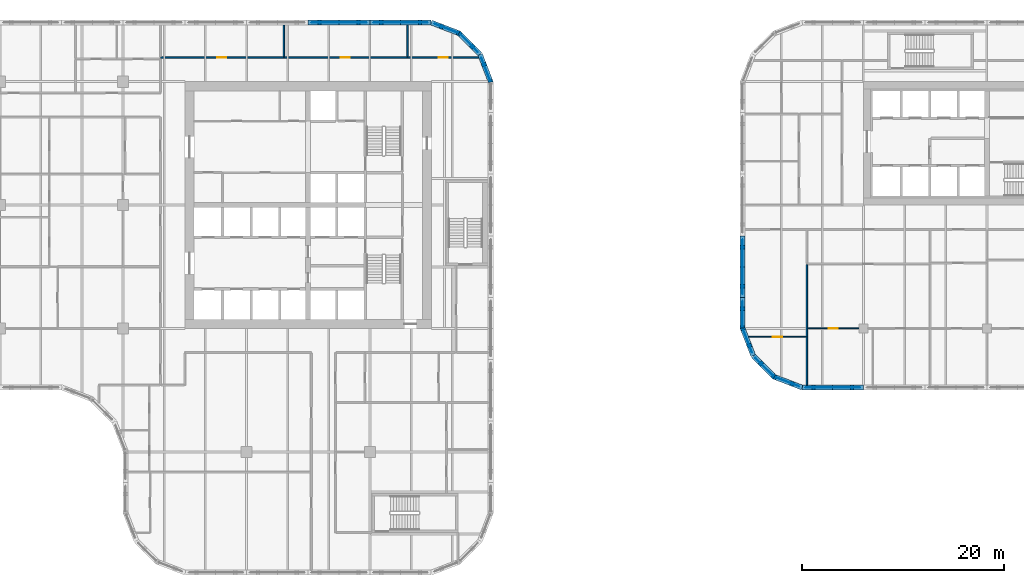
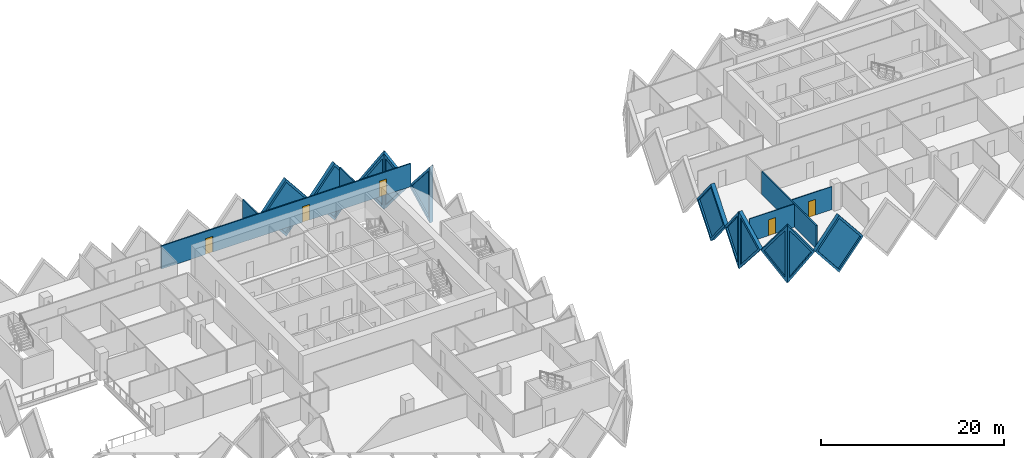
# One storey, part 11 of 19: 17 walls, 11 plates, 5 doors, 16 openings.
"""IFC4 building model written with IfcOpenShell, lengths in metres."""

from ifc_helpers import new_model, si_unit, direction, frame, frame_2d, origin, place, context, subcontext, project, spatial, polyline, rectangle, outline, extrude, faceted_brep, source, transform, mapped, material, layer, layer_set, type_object, element, fill, save


model = new_model("IFC4")

# Units and contexts
model_context = context("Model", 3, precision=1e-05, world=origin(), true_north=direction((0.0, 1.0)))
body_context = subcontext(model_context, "Body", "Model", "MODEL_VIEW")
ifc_project = project(units=[si_unit("LENGTHUNIT", "METRE"), si_unit("AREAUNIT", "SQUARE_METRE"), si_unit("VOLUMEUNIT", "CUBIC_METRE"), si_unit("PLANEANGLEUNIT", "RADIAN"), si_unit("MASSUNIT", "GRAM", prefix="KILO")], contexts=[model_context])

# Site, building, storey
site_placement = place(None, origin())
site = spatial("IfcSite", under=ifc_project, at=site_placement, CompositionType="ELEMENT")
building_placement = place(site_placement, origin())
building = spatial("IfcBuilding", under=site, at=building_placement, Name="Tessera Gate Towers", CompositionType="ELEMENT")
storey_placement = place(building_placement, frame((0.0, 0.0, 29.60009765625)))
storey = spatial("IfcBuildingStorey", under=building, at=storey_placement, Name="L06", CompositionType="ELEMENT", Elevation=29.60009765625)

# Wall, openings, doors
ifc_material_1 = material(Name="Gypsum board on steel studs, mineral wool", Category="steel")
ifc_layer_1 = layer(ifc_material_1, 0.14990234375)
ifc_layer_set_1 = layer_set([ifc_layer_1], Name="CORRIDOR WALL 150")
wall_type_1 = type_object("IfcWallType", Name="CORRIDOR WALL 150", PredefinedType="PARTITIONING", material=ifc_layer_set_1)
wall_1_placement = place(storey_placement, frame((28.10009765625, 51.199951171875, 0.0), z_axis=(0.0, 0.0, 1.0), x_axis=(1.0, 0.0, 0.0)))
wall_1 = element("IfcWall", 1, at=wall_1_placement, inside=storey, type_object=wall_type_1, Name="T1-L06-PW-054", PredefinedType="PARTITIONING", context=body_context, shape_type="SweptSolid", body=[
    extrude(rectangle(XDim=31.438232421875, YDim=0.14990234375, at=frame_2d((15.71923828125, 0.0))), origin(), (0.0, 0.0, 1.0), 3.06689453125),
])
shared_shape_1 = source(origin(), body_context, "Body", "SweptSolid", [
    extrude(rectangle(XDim=0.89990234375, YDim=2.10009765625, at=frame_2d((0.449951171875, 1.050048828125))), frame((0.0, 0.0849609375, 0.0), z_axis=(0.0, -1.0, 0.0), x_axis=(1.0, 0.0, 0.0)), (0.0, 0.0, 1.0), 0.169921875),
])
opening_1_placement = place(wall_1_placement, frame((27.5009765625, 0.0, 0.0)))
opening_1 = element("IfcOpeningElement", 2, at=opening_1_placement, cuts=wall_1, Name="Opening D890FD60-A02-04", PredefinedType="OPENING", context=body_context, shape_type="MappedRepresentation", body=[
    mapped(shared_shape_1, transform((0.0, 0.0, 0.0), scale=1.0)),
])
opening_2_placement = place(wall_1_placement, frame((5.60009765625, 0.0, 0.0)))
opening_2 = element("IfcOpeningElement", 3, at=opening_2_placement, cuts=wall_1, Name="Opening D890FD60-A02-07", PredefinedType="OPENING", context=body_context, shape_type="MappedRepresentation", body=[
    mapped(shared_shape_1, transform((0.0, 0.0, 0.0), scale=1.0)),
])
opening_3_placement = place(wall_1_placement, frame((17.800048828125, 0.0, 0.0)))
opening_3 = element("IfcOpeningElement", 4, at=opening_3_placement, cuts=wall_1, Name="Opening D890FD60-A02-08", PredefinedType="OPENING", context=body_context, shape_type="MappedRepresentation", body=[
    mapped(shared_shape_1, transform((0.0, 0.0, 0.0), scale=1.0)),
])
ifc_material_2 = material(Name="Timber door leaf in steel frame", Category="steel")
door_type_1 = type_object("IfcDoorType", Name="CORRIDOR DOOR 900 FD60", OperationType="NOTDEFINED", PredefinedType="DOOR", material=ifc_material_2)
shared_shape_2 = source(origin(), body_context, "Body", "SweptSolid", [
    extrude(rectangle(XDim=0.89990234375, YDim=2.10009765625, at=frame_2d((0.449951171875, 1.050048828125))), frame((0.0, 0.02490234375, 0.0), z_axis=(0.0, -1.0, 0.0), x_axis=(1.0, 0.0, 0.0)), (0.0, 0.0, 1.0), 0.050048828125),
])
door_1_placement = place(opening_1_placement, origin())
door_1 = element("IfcDoor", 5, at=door_1_placement, inside=storey, type_object=door_type_1, Name="T1-L06-PD-021", OperationType="SINGLE_SWING_LEFT", OverallHeight=2.10009765625, OverallWidth=0.89990234375, PredefinedType="DOOR", context=body_context, shape_type="MappedRepresentation", body=[
    mapped(shared_shape_2, transform((0.0, 0.0, 0.0), scale=1.0)),
])
fill(opening_1, door_1)
door_2_placement = place(opening_2_placement, origin())
door_2 = element("IfcDoor", 6, at=door_2_placement, inside=storey, type_object=door_type_1, Name="T1-L06-PD-028", OperationType="SINGLE_SWING_LEFT", OverallHeight=2.10009765625, OverallWidth=0.89990234375, PredefinedType="DOOR", context=body_context, shape_type="MappedRepresentation", body=[
    mapped(shared_shape_2, transform((0.0, 0.0, 0.0), scale=1.0)),
])
fill(opening_2, door_2)
door_3_placement = place(opening_3_placement, origin())
door_3 = element("IfcDoor", 7, at=door_3_placement, inside=storey, type_object=door_type_1, Name="T1-L06-PD-030", OperationType="SINGLE_SWING_LEFT", OverallHeight=2.10009765625, OverallWidth=0.89990234375, PredefinedType="DOOR", context=body_context, shape_type="MappedRepresentation", body=[
    mapped(shared_shape_2, transform((0.0, 0.0, 0.0), scale=1.0)),
])
fill(opening_3, door_3)

# Wall, opening, door
ifc_material_3 = material(Name="Gypsum board on steel studs", Category="steel")
ifc_layer_2 = layer(ifc_material_3, 0.10009765625)
ifc_layer_set_2 = layer_set([ifc_layer_2], Name="PARTITION 100")
wall_type_2 = type_object("IfcWallType", Name="PARTITION 100", PredefinedType="PARTITIONING", material=ifc_layer_set_2)
wall_2_placement = place(storey_placement, frame((91.924072265625, 23.574951171875, 0.0), z_axis=(0.0, 0.0, 1.0), x_axis=(-1.0, 0.0, 0.0)))
wall_2 = element("IfcWall", 8, at=wall_2_placement, inside=storey, type_object=wall_type_2, Name="T2-L06-PW-009", PredefinedType="PARTITIONING", context=body_context, shape_type="SweptSolid", body=[
    extrude(rectangle(XDim=5.669921875, YDim=0.10009765625, at=frame_2d((2.8349609375, 0.0))), origin(), (0.0, 0.0, 1.0), 3.06689453125),
])
shared_shape_3 = source(origin(), body_context, "Body", "SweptSolid", [
    extrude(rectangle(XDim=0.89990234375, YDim=2.10009765625, at=frame_2d((0.449951171875, 1.050048828125))), frame((0.0, 0.06005859375, 0.0), z_axis=(0.0, -1.0, 0.0), x_axis=(1.0, 0.0, 0.0)), (0.0, 0.0, 1.0), 0.1201171875),
])
opening_4_placement = place(wall_2_placement, frame((2.369873046875, 0.0, 0.0)))
opening_4 = element("IfcOpeningElement", 9, at=opening_4_placement, cuts=wall_2, Name="Opening D190-B03-13", PredefinedType="OPENING", context=body_context, shape_type="MappedRepresentation", body=[
    mapped(shared_shape_3, transform((0.0, 0.0, 0.0), scale=1.0)),
])
ifc_material_4 = material(Name="Timber door leaf in steel frame", Category="steel")
door_type_2 = type_object("IfcDoorType", Name="INTERNAL DOOR 900 NOT RATED", OperationType="NOTDEFINED", PredefinedType="DOOR", material=ifc_material_4)
door_4_placement = place(opening_4_placement, origin())
door_4 = element("IfcDoor", 10, at=door_4_placement, inside=storey, type_object=door_type_2, Name="T2-L06-PD-017", OperationType="SINGLE_SWING_RIGHT", OverallHeight=2.10009765625, OverallWidth=0.89990234375, PredefinedType="DOOR", context=body_context, shape_type="MappedRepresentation", body=[
    mapped(shared_shape_2, transform((0.0, 0.0, 0.0), scale=1.0)),
])
fill(opening_4, door_4)

wall_3_placement = place(storey_placement, frame((97.14892578125, 24.39990234375, 0.0), z_axis=(0.0, 0.0, 1.0), x_axis=(-1.0, 0.0, 0.0)))
wall_3 = element("IfcWall", 11, at=wall_3_placement, inside=storey, type_object=wall_type_2, Name="T2-L06-PW-011", PredefinedType="PARTITIONING", context=body_context, shape_type="SweptSolid", body=[
    extrude(rectangle(XDim=5.072998046875, YDim=0.10009765625, at=frame_2d((2.53662109375, 0.0))), origin(), (0.0, 0.0, 1.0), 3.06689453125),
])
opening_5_placement = place(wall_3_placement, frame((2.072998046875, 0.0, 0.0)))
opening_5 = element("IfcOpeningElement", 12, at=opening_5_placement, cuts=wall_3, Name="Opening D190-B03-11", PredefinedType="OPENING", context=body_context, shape_type="MappedRepresentation", body=[
    mapped(shared_shape_3, transform((0.0, 0.0, 0.0), scale=1.0)),
])
door_5_placement = place(opening_5_placement, origin())
door_5 = element("IfcDoor", 13, at=door_5_placement, inside=storey, type_object=door_type_2, Name="T2-L06-PD-014", OperationType="SINGLE_SWING_RIGHT", OverallHeight=2.10009765625, OverallWidth=0.89990234375, PredefinedType="DOOR", context=body_context, shape_type="MappedRepresentation", body=[
    mapped(shared_shape_2, transform((0.0, 0.0, 0.0), scale=1.0)),
])
fill(opening_5, door_5)

# Walls
ifc_material_5 = material(Name="Gypsum board on steel studs, mineral wool", Category="steel")
ifc_layer_3 = layer(ifc_material_5, 0.14990234375)
ifc_layer_set_3 = layer_set([ifc_layer_3], Name="TENANCY WALL 150")
wall_type_3 = type_object("IfcWallType", Name="TENANCY WALL 150", PredefinedType="PARTITIONING", material=ifc_layer_set_3)
for number, where, z_axis, x_axis, name in (
    (14, (40.300048828125, 51.27587890625, 0.0), (0.0, 0.0, 1.0), (0.0, 1.0, 0.0), "T1-L06-PW-056"),
    (15, (52.5, 51.27587890625, 0.0), (0.0, 0.0, 1.0), (0.0, 1.0, 0.0), "T1-L06-PW-057"),
):
    element("IfcWall", number, at=place(storey_placement, frame(where, z_axis=z_axis, x_axis=x_axis)), inside=storey, type_object=wall_type_3, Name=name, PredefinedType="PARTITIONING", context=body_context, shape_type="SweptSolid", body=[
        extrude(rectangle(XDim=3.1240234375, YDim=0.14990234375, at=frame_2d((1.56201171875, 0.0))), origin(), (0.0, 0.0, 1.0), 3.06689453125),
    ])
wall_4_placement = place(storey_placement, frame((92.0, 18.800048828125, 0.0), z_axis=(0.0, 0.0, 1.0), x_axis=(0.0, 1.0, 0.0)))
element("IfcWall", 16, at=wall_4_placement, inside=storey, type_object=wall_type_3, Name="T2-L06-PW-001", PredefinedType="PARTITIONING", context=body_context, shape_type="SweptSolid", body=[
    extrude(rectangle(XDim=11.89892578125, YDim=0.14990234375, at=frame_2d((5.949462890625, 0.0))), origin(), (0.0, 0.0, 1.0), 3.06689453125),
])

# Wall, opening, plate
ifc_material_6 = material(Name="Precast concrete C60/75 white", Category="concrete")
ifc_layer_4 = layer(ifc_material_6, 0.5)
ifc_layer_set_4 = layer_set([ifc_layer_4], Name="TS1 tessera")
wall_type_4 = type_object("IfcWallType", Name="TS1 tessera", PredefinedType="SOLIDWALL", material=ifc_layer_set_4)
shared_shape_4 = source(origin(), body_context, "Body", "Brep", [
    faceted_brep([(3.00341796875, -0.25, 0.0), (6.053466796875, -0.25, 3.800048828125), (3.00341796875, -0.25, 7.599853515625), (0.0, -0.25, 3.800048828125), (0.046630859375, 0.25, 3.85888671875), (3.00341796875, 0.25, 7.599853515625), (6.053466796875, 0.25, 3.800048828125), (3.00341796875, 0.25, 0.0), (0.046630859375, 0.25, 3.7412109375), (0.0, 0.0, 3.800048828125)], [[[0, 1, 2, 3]], [[4, 5, 6, 7, 8]], [[7, 6, 1, 0]], [[6, 5, 2, 1]], [[5, 4, 9, 3, 2]], [[8, 7, 0, 3, 9]], [[8, 9, 4]]]),
])
wall_5_placement = place(storey_placement, frame((54.853515625, 54.64990234375, -3.800048828125), z_axis=(0.0, 0.0, 1.0), x_axis=(-1.0, 0.0, 0.0)))
wall_5 = element("IfcWall", 17, at=wall_5_placement, inside=storey, type_object=wall_type_4, Name="Precast tessera T1 TS1-0033", PredefinedType="SOLIDWALL", context=body_context, shape_type="MappedRepresentation", body=[
    mapped(shared_shape_4, transform((0.0, 0.0, 0.0), scale=1.0)),
])
shared_shape_5 = source(origin(), body_context, "Body", "SweptSolid", [
    extrude(outline(polyline([(3.0048828125, 0.401123046875), (5.73291015625, 3.800048828125), (3.0048828125, 7.19873046875), (0.318603515625, 3.800048828125), (3.0048828125, 0.401123046875)])), frame((0.0, 0.260009765625, 0.0), z_axis=(0.0, -1.0, 0.0), x_axis=(1.0, 0.0, 0.0)), (0.0, 0.0, 1.0), 0.52001953125),
])
opening_6_placement = place(wall_5_placement, origin())
opening_6 = element("IfcOpeningElement", 18, at=opening_6_placement, cuts=wall_5, Name="Opening T1-PL2-0065", PredefinedType="OPENING", context=body_context, shape_type="MappedRepresentation", body=[
    mapped(shared_shape_5, transform((0.0, 0.0, 0.0), scale=1.0)),
])
ifc_material_7 = material(Name="Low-e laminated glass", Category="glass")
ifc_layer_5 = layer(ifc_material_7, 0.06005859375)
ifc_layer_set_5 = layer_set([ifc_layer_5], Name="PL2 rhombic pane")
plate_type = type_object("IfcPlateType", Name="PL2 rhombic pane", PredefinedType="SHEET", material=ifc_layer_set_5)
shared_shape_6 = source(origin(), body_context, "Body", "SweptSolid", [
    extrude(outline(polyline([(3.0048828125, 0.401123046875), (5.73291015625, 3.800048828125), (3.0048828125, 7.19873046875), (0.318603515625, 3.800048828125), (3.0048828125, 0.401123046875)])), frame((0.0, 0.030029296875, 0.0), z_axis=(0.0, -1.0, 0.0), x_axis=(1.0, 0.0, 0.0)), (0.0, 0.0, 1.0), 0.06005859375),
])
plate_1_placement = place(opening_6_placement, origin())
plate_1 = element("IfcPlate", 19, at=plate_1_placement, inside=storey, type_object=plate_type, Name="Glass pane T1 PL2-0065", PredefinedType="SHEET", context=body_context, shape_type="MappedRepresentation", body=[
    mapped(shared_shape_6, transform((0.0, 0.0, 0.0), scale=1.0)),
])
fill(opening_6, plate_1)

wall_6_placement = place(storey_placement, frame((91.546630859375, 18.550048828125, -3.800048828125), z_axis=(0.0, 0.0, 1.0), x_axis=(1.0, 0.0, 0.0)))
wall_6 = element("IfcWall", 20, at=wall_6_placement, inside=storey, type_object=wall_type_4, Name="Precast tessera T2 TS1-0018", PredefinedType="SOLIDWALL", context=body_context, shape_type="MappedRepresentation", body=[
    mapped(shared_shape_4, transform((0.0, 0.0, 0.0), scale=1.0)),
])
opening_7_placement = place(wall_6_placement, origin())
opening_7 = element("IfcOpeningElement", 21, at=opening_7_placement, cuts=wall_6, Name="Opening T2-PL2-0034", PredefinedType="OPENING", context=body_context, shape_type="MappedRepresentation", body=[
    mapped(shared_shape_5, transform((0.0, 0.0, 0.0), scale=1.0)),
])
plate_2_placement = place(opening_7_placement, origin())
plate_2 = element("IfcPlate", 22, at=plate_2_placement, inside=storey, type_object=plate_type, Name="Glass pane T2 PL2-0034", PredefinedType="SHEET", context=body_context, shape_type="MappedRepresentation", body=[
    mapped(shared_shape_6, transform((0.0, 0.0, 0.0), scale=1.0)),
])
fill(opening_7, plate_2)

shared_shape_7 = source(origin(), body_context, "Body", "SweptSolid", [
    extrude(outline(polyline([(3.050048828125, 0.0), (6.10009765625, 3.800048828125), (3.050048828125, 7.599853515625), (0.0, 3.800048828125), (3.050048828125, 0.0)])), frame((0.0, 0.25, 0.0), z_axis=(0.0, -1.0, 0.0), x_axis=(1.0, 0.0, 0.0)), (0.0, 0.0, 1.0), 0.5),
])
wall_7_placement = place(storey_placement, frame((48.800048828125, 54.64990234375, -3.800048828125), z_axis=(0.0, 0.0, 1.0), x_axis=(-1.0, 0.0, 0.0)))
wall_7 = element("IfcWall", 23, at=wall_7_placement, inside=storey, type_object=wall_type_4, Name="Precast tessera T1 TS1-0034", PredefinedType="SOLIDWALL", context=body_context, shape_type="MappedRepresentation", body=[
    mapped(shared_shape_7, transform((0.0, 0.0, 0.0), scale=1.0)),
])
shared_shape_8 = source(origin(), body_context, "Body", "SweptSolid", [
    extrude(outline(polyline([(3.050048828125, 0.3994140625), (5.779541015625, 3.800048828125), (3.050048828125, 7.200439453125), (0.320556640625, 3.800048828125), (3.050048828125, 0.3994140625)])), frame((0.0, 0.260009765625, 0.0), z_axis=(0.0, -1.0, 0.0), x_axis=(1.0, 0.0, 0.0)), (0.0, 0.0, 1.0), 0.52001953125),
])
opening_8_placement = place(wall_7_placement, origin())
opening_8 = element("IfcOpeningElement", 24, at=opening_8_placement, cuts=wall_7, Name="Opening T1-PL2-0066", PredefinedType="OPENING", context=body_context, shape_type="MappedRepresentation", body=[
    mapped(shared_shape_8, transform((0.0, 0.0, 0.0), scale=1.0)),
])
shared_shape_9 = source(origin(), body_context, "Body", "SweptSolid", [
    extrude(outline(polyline([(3.050048828125, 0.3994140625), (5.779541015625, 3.800048828125), (3.050048828125, 7.200439453125), (0.320556640625, 3.800048828125), (3.050048828125, 0.3994140625)])), frame((0.0, 0.030029296875, 0.0), z_axis=(0.0, -1.0, 0.0), x_axis=(1.0, 0.0, 0.0)), (0.0, 0.0, 1.0), 0.06005859375),
])
plate_3_placement = place(opening_8_placement, origin())
plate_3 = element("IfcPlate", 25, at=plate_3_placement, inside=storey, type_object=plate_type, Name="Glass pane T1 PL2-0066", PredefinedType="SHEET", context=body_context, shape_type="MappedRepresentation", body=[
    mapped(shared_shape_9, transform((0.0, 0.0, 0.0), scale=1.0)),
])
fill(opening_8, plate_3)

wall_8_placement = place(storey_placement, frame((85.64990234375, 33.550048828125, -3.800048828125), z_axis=(0.0, 0.0, 1.0), x_axis=(0.0, -1.0, 0.0)))
wall_8 = element("IfcWall", 26, at=wall_8_placement, inside=storey, type_object=wall_type_4, Name="Precast tessera T2 TS1-0035", PredefinedType="SOLIDWALL", context=body_context, shape_type="MappedRepresentation", body=[
    mapped(shared_shape_7, transform((0.0, 0.0, 0.0), scale=1.0)),
])
opening_9_placement = place(wall_8_placement, origin())
opening_9 = element("IfcOpeningElement", 27, at=opening_9_placement, cuts=wall_8, Name="Opening T2-PL2-0063", PredefinedType="OPENING", context=body_context, shape_type="MappedRepresentation", body=[
    mapped(shared_shape_8, transform((0.0, 0.0, 0.0), scale=1.0)),
])
plate_4_placement = place(opening_9_placement, origin())
plate_4 = element("IfcPlate", 28, at=plate_4_placement, inside=storey, type_object=plate_type, Name="Glass pane T2 PL2-0063", PredefinedType="SHEET", context=body_context, shape_type="MappedRepresentation", body=[
    mapped(shared_shape_9, transform((0.0, 0.0, 0.0), scale=1.0)),
])
fill(opening_9, plate_4)

ifc_material_8 = material(Name="Precast concrete C60/75 white", Category="concrete")
ifc_layer_6 = layer(ifc_material_8, 0.5)
ifc_layer_set_6 = layer_set([ifc_layer_6], Name="TS3 corner tessera")
wall_type_5 = type_object("IfcWallType", Name="TS3 corner tessera", PredefinedType="SOLIDWALL", material=ifc_layer_set_6)
shared_shape_10 = source(origin(), body_context, "Body", "Brep", [
    faceted_brep([(3.00341796875, -0.25, 0.0), (3.050048828125, -0.25, 0.06005859375), (3.050048828125, -0.25, 7.539794921875), (3.00341796875, -0.25, 7.599853515625), (0.0, -0.25, 3.800048828125), (0.0, 0.25, 3.800048828125), (2.956787109375, 0.25, 7.541015625), (2.956787109375, 0.25, 0.058837890625), (3.00341796875, 0.000244140625, 0.0), (3.00341796875, 0.000244140625, 7.599853515625)], [[[0, 1, 2, 3, 4]], [[5, 6, 7]], [[1, 0, 8]], [[9, 3, 2]], [[6, 5, 4, 3, 9]], [[5, 7, 8, 0, 4]], [[1, 8, 7, 6, 9, 2]]]),
])
wall_9_placement = place(storey_placement, frame((85.64990234375, 27.449951171875, -3.800048828125), z_axis=(0.0, 0.0, 1.0), x_axis=(0.0, -1.0, 0.0)))
wall_9 = element("IfcWall", 29, at=wall_9_placement, inside=storey, type_object=wall_type_5, Name="Precast corner tessera T2 TS3-0077", PredefinedType="SOLIDWALL", context=body_context, shape_type="MappedRepresentation", body=[
    mapped(shared_shape_10, transform((0.0, 0.0, 0.0), scale=1.0)),
])
shared_shape_11 = source(origin(), body_context, "Body", "SweptSolid", [
    extrude(outline(polyline([(2.803466796875, 6.94384765625), (0.318603515625, 3.800048828125), (2.803466796875, 0.65625), (2.803466796875, 6.94384765625)])), frame((0.0, 0.260009765625, 0.0), z_axis=(0.0, -1.0, 0.0), x_axis=(1.0, 0.0, 0.0)), (0.0, 0.0, 1.0), 0.52001953125),
])
opening_10_placement = place(wall_9_placement, origin())
opening_10 = element("IfcOpeningElement", 30, at=opening_10_placement, cuts=wall_9, Name="Opening T2-PL2-0064", PredefinedType="OPENING", context=body_context, shape_type="MappedRepresentation", body=[
    mapped(shared_shape_11, transform((0.0, 0.0, 0.0), scale=1.0)),
])
shared_shape_12 = source(origin(), body_context, "Body", "SweptSolid", [
    extrude(outline(polyline([(2.803466796875, 6.94384765625), (0.318603515625, 3.800048828125), (2.803466796875, 0.65625), (2.803466796875, 6.94384765625)])), frame((0.0, 0.030029296875, 0.0), z_axis=(0.0, -1.0, 0.0), x_axis=(1.0, 0.0, 0.0)), (0.0, 0.0, 1.0), 0.06005859375),
])
plate_5_placement = place(opening_10_placement, origin())
plate_5 = element("IfcPlate", 31, at=plate_5_placement, inside=storey, type_object=plate_type, Name="Glass pane T2 PL2-0064", PredefinedType="SHEET", context=body_context, shape_type="MappedRepresentation", body=[
    mapped(shared_shape_12, transform((0.0, 0.0, 0.0), scale=1.0)),
])
fill(opening_10, plate_5)

shared_shape_13 = source(origin(), body_context, "Body", "Brep", [
    faceted_brep([(0.046630859375, -0.25, 0.0), (2.9970703125, -0.25, 3.800048828125), (0.046630859375, -0.25, 7.599853515625), (0.0, -0.25, 7.541015625), (0.0, -0.25, 0.058837890625), (0.09326171875, 0.25, 7.539794921875), (2.9443359375, 0.25, 3.8681640625), (2.9443359375, 0.25, 3.73193359375), (0.09326171875, 0.25, 0.06005859375), (2.9970703125, 0.00048828125, 3.800048828125), (0.046630859375, 0.0, 0.0), (0.046630859375, 0.0, 7.599853515625)], [[[0, 1, 2, 3, 4]], [[5, 6, 7, 8]], [[8, 7, 9, 1, 0, 10]], [[6, 5, 11, 2, 1, 9]], [[3, 2, 11]], [[10, 0, 4]], [[8, 10, 4, 3, 11, 5]], [[7, 6, 9]]]),
])
wall_10_placement = place(storey_placement, frame((60.766845703125, 48.7099609375, -3.800048828125), z_axis=(0.0, 0.0, 1.0), x_axis=(-0.359901446078, 0.932990326376, 0.0)))
wall_10 = element("IfcWall", 32, at=wall_10_placement, inside=storey, type_object=wall_type_5, Name="Precast corner tessera T1 TS3-0102", PredefinedType="SOLIDWALL", context=body_context, shape_type="MappedRepresentation", body=[
    mapped(shared_shape_13, transform((0.0, 0.0, 0.0), scale=1.0)),
])
shared_shape_14 = source(origin(), body_context, "Body", "SweptSolid", [
    extrude(outline(polyline([(0.24658203125, 0.665283203125), (2.6806640625, 3.800048828125), (0.24658203125, 6.934814453125), (0.24658203125, 0.665283203125)])), frame((0.0, 0.260009765625, 0.0), z_axis=(0.0, -1.0, 0.0), x_axis=(1.0, 0.0, 0.0)), (0.0, 0.0, 1.0), 0.52001953125),
])
opening_11_placement = place(wall_10_placement, origin())
opening_11 = element("IfcOpeningElement", 33, at=opening_11_placement, cuts=wall_10, Name="Opening T1-PL2-0062", PredefinedType="OPENING", context=body_context, shape_type="MappedRepresentation", body=[
    mapped(shared_shape_14, transform((0.0, 0.0, 0.0), scale=1.0)),
])
shared_shape_15 = source(origin(), body_context, "Body", "SweptSolid", [
    extrude(outline(polyline([(0.24658203125, 0.665283203125), (2.6806640625, 3.800048828125), (0.24658203125, 6.934814453125), (0.24658203125, 0.665283203125)])), frame((0.0, 0.030029296875, 0.0), z_axis=(0.0, -1.0, 0.0), x_axis=(1.0, 0.0, 0.0)), (0.0, 0.0, 1.0), 0.06005859375),
])
plate_6_placement = place(opening_11_placement, origin())
plate_6 = element("IfcPlate", 34, at=plate_6_placement, inside=storey, type_object=plate_type, Name="Glass pane T1 PL2-0062", PredefinedType="SHEET", context=body_context, shape_type="MappedRepresentation", body=[
    mapped(shared_shape_15, transform((0.0, 0.0, 0.0), scale=1.0)),
])
fill(opening_11, plate_6)

wall_11_placement = place(storey_placement, frame((85.63330078125, 24.489990234375, -3.800048828125), z_axis=(0.0, 0.0, 1.0), x_axis=(0.359901446078, -0.932990326376, 0.0)))
wall_11 = element("IfcWall", 35, at=wall_11_placement, inside=storey, type_object=wall_type_5, Name="Precast corner tessera T2 TS3-0078", PredefinedType="SOLIDWALL", context=body_context, shape_type="MappedRepresentation", body=[
    mapped(shared_shape_13, transform((0.0, 0.0, 0.0), scale=1.0)),
])
opening_12_placement = place(wall_11_placement, origin())
opening_12 = element("IfcOpeningElement", 36, at=opening_12_placement, cuts=wall_11, Name="Opening T2-PL2-0065", PredefinedType="OPENING", context=body_context, shape_type="MappedRepresentation", body=[
    mapped(shared_shape_14, transform((0.0, 0.0, 0.0), scale=1.0)),
])
plate_7_placement = place(opening_12_placement, origin())
plate_7 = element("IfcPlate", 37, at=plate_7_placement, inside=storey, type_object=plate_type, Name="Glass pane T2 PL2-0065", PredefinedType="SHEET", context=body_context, shape_type="MappedRepresentation", body=[
    mapped(shared_shape_15, transform((0.0, 0.0, 0.0), scale=1.0)),
])
fill(opening_12, plate_7)

shared_shape_16 = source(origin(), body_context, "Body", "Brep", [
    faceted_brep([(2.944091796875, -0.25, 0.0), (2.9970703125, -0.25, 0.068115234375), (2.9970703125, -0.25, 7.53173828125), (2.944091796875, -0.25, 7.599853515625), (0.0, -0.25, 3.800048828125), (0.052978515625, 0.25, 3.868408203125), (2.89111328125, 0.25, 7.53173828125), (2.89111328125, 0.25, 0.068115234375), (0.052978515625, 0.25, 3.731689453125), (2.944091796875, 0.000244140625, 0.0), (2.944091796875, 0.000244140625, 7.599853515625), (0.0, 0.0, 3.800048828125)], [[[0, 1, 2, 3, 4]], [[5, 6, 7, 8]], [[1, 0, 9]], [[10, 3, 2]], [[6, 5, 11, 4, 3, 10]], [[8, 7, 9, 0, 4, 11]], [[8, 11, 5]], [[1, 9, 7, 6, 10, 2]]]),
])
wall_12_placement = place(storey_placement, frame((59.68798828125, 51.50634765625, -3.800048828125), z_axis=(0.0, 0.0, 1.0), x_axis=(-0.707106781187, 0.707106781187, 0.0)))
wall_12 = element("IfcWall", 38, at=wall_12_placement, inside=storey, type_object=wall_type_5, Name="Precast corner tessera T1 TS3-0103", PredefinedType="SOLIDWALL", context=body_context, shape_type="MappedRepresentation", body=[
    mapped(shared_shape_16, transform((0.0, 0.0, 0.0), scale=1.0)),
])
shared_shape_17 = source(origin(), body_context, "Body", "SweptSolid", [
    extrude(outline(polyline([(2.744140625, 6.93359375), (0.316162109375, 3.800048828125), (2.744140625, 0.666259765625), (2.744140625, 6.93359375)])), frame((0.0, 0.260009765625, 0.0), z_axis=(0.0, -1.0, 0.0), x_axis=(1.0, 0.0, 0.0)), (0.0, 0.0, 1.0), 0.52001953125),
])
opening_13_placement = place(wall_12_placement, origin())
opening_13 = element("IfcOpeningElement", 39, at=opening_13_placement, cuts=wall_12, Name="Opening T1-PL2-0063", PredefinedType="OPENING", context=body_context, shape_type="MappedRepresentation", body=[
    mapped(shared_shape_17, transform((0.0, 0.0, 0.0), scale=1.0)),
])
shared_shape_18 = source(origin(), body_context, "Body", "SweptSolid", [
    extrude(outline(polyline([(2.744140625, 6.93359375), (0.316162109375, 3.800048828125), (2.744140625, 0.666259765625), (2.744140625, 6.93359375)])), frame((0.0, 0.030029296875, 0.0), z_axis=(0.0, -1.0, 0.0), x_axis=(1.0, 0.0, 0.0)), (0.0, 0.0, 1.0), 0.06005859375),
])
plate_8_placement = place(opening_13_placement, origin())
plate_8 = element("IfcPlate", 40, at=plate_8_placement, inside=storey, type_object=plate_type, Name="Glass pane T1 PL2-0063", PredefinedType="SHEET", context=body_context, shape_type="MappedRepresentation", body=[
    mapped(shared_shape_18, transform((0.0, 0.0, 0.0), scale=1.0)),
])
fill(opening_13, plate_8)

shared_shape_19 = source(origin(), body_context, "Body", "Brep", [
    faceted_brep([(0.052978515625, -0.25, 0.0), (3.00341796875, -0.25, 3.800048828125), (0.052978515625, -0.25, 7.599853515625), (0.0, -0.25, 7.531494140625), (0.0, -0.25, 0.068359375), (0.10595703125, 0.25, 7.53173828125), (2.95703125, 0.25, 3.85986328125), (2.95703125, 0.25, 3.740234375), (0.10595703125, 0.25, 0.068115234375), (3.00341796875, 0.00048828125, 3.800048828125), (0.052978515625, 0.0, 0.0), (0.052978515625, 0.0, 7.599853515625)], [[[0, 1, 2, 3, 4]], [[5, 6, 7, 8]], [[8, 7, 9, 1, 0, 10]], [[6, 5, 11, 2, 1, 9]], [[3, 2, 11]], [[10, 0, 4]], [[8, 10, 4, 3, 11, 5]], [[7, 6, 9]]]),
])
wall_13_placement = place(storey_placement, frame((57.65576171875, 53.569091796875, -3.800048828125), z_axis=(0.0, 0.0, 1.0), x_axis=(-0.933007896601, 0.359855894603, 0.0)))
wall_13 = element("IfcWall", 41, at=wall_13_placement, inside=storey, type_object=wall_type_5, Name="Precast corner tessera T1 TS3-0104", PredefinedType="SOLIDWALL", context=body_context, shape_type="MappedRepresentation", body=[
    mapped(shared_shape_19, transform((0.0, 0.0, 0.0), scale=1.0)),
])
shared_shape_20 = source(origin(), body_context, "Body", "SweptSolid", [
    extrude(outline(polyline([(0.2529296875, 0.665283203125), (2.68701171875, 3.800048828125), (0.2529296875, 6.934814453125), (0.2529296875, 0.665283203125)])), frame((0.0, 0.260009765625, 0.0), z_axis=(0.0, -1.0, 0.0), x_axis=(1.0, 0.0, 0.0)), (0.0, 0.0, 1.0), 0.52001953125),
])
opening_14_placement = place(wall_13_placement, origin())
opening_14 = element("IfcOpeningElement", 42, at=opening_14_placement, cuts=wall_13, Name="Opening T1-PL2-0064", PredefinedType="OPENING", context=body_context, shape_type="MappedRepresentation", body=[
    mapped(shared_shape_20, transform((0.0, 0.0, 0.0), scale=1.0)),
])
shared_shape_21 = source(origin(), body_context, "Body", "SweptSolid", [
    extrude(outline(polyline([(0.2529296875, 0.665283203125), (2.68701171875, 3.800048828125), (0.2529296875, 6.934814453125), (0.2529296875, 0.665283203125)])), frame((0.0, 0.030029296875, 0.0), z_axis=(0.0, -1.0, 0.0), x_axis=(1.0, 0.0, 0.0)), (0.0, 0.0, 1.0), 0.06005859375),
])
plate_9_placement = place(opening_14_placement, origin())
plate_9 = element("IfcPlate", 43, at=plate_9_placement, inside=storey, type_object=plate_type, Name="Glass pane T1 PL2-0064", PredefinedType="SHEET", context=body_context, shape_type="MappedRepresentation", body=[
    mapped(shared_shape_21, transform((0.0, 0.0, 0.0), scale=1.0)),
])
fill(opening_14, plate_9)

shared_shape_22 = source(origin(), body_context, "Body", "Brep", [
    faceted_brep([(2.944091796875, -0.25, 0.0), (2.9970703125, -0.25, 0.068115234375), (2.9970703125, -0.25, 7.53173828125), (2.944091796875, -0.25, 7.599853515625), (0.0, -0.25, 3.800048828125), (0.052978515625, 0.25, 3.868408203125), (2.89111328125, 0.25, 7.53173828125), (2.89111328125, 0.25, 0.068115234375), (0.052978515625, 0.25, 3.731689453125), (2.944091796875, 0.000244140625, 0.0), (2.944091796875, 0.000244140625, 7.599853515625), (0.0, 0.0, 3.800048828125)], [[[0, 1, 2, 3, 4]], [[5, 6, 7, 8]], [[1, 0, 9]], [[10, 3, 2]], [[6, 5, 11, 4, 3, 10]], [[8, 7, 9, 0, 4, 11]], [[8, 11, 5]], [[1, 9, 7, 6, 10, 2]]]),
])
wall_14_placement = place(storey_placement, frame((86.7119140625, 21.69384765625, -3.800048828125), z_axis=(0.0, 0.0, 1.0), x_axis=(0.707066050402, -0.707147509625, 0.0)))
wall_14 = element("IfcWall", 44, at=wall_14_placement, inside=storey, type_object=wall_type_5, Name="Precast corner tessera T2 TS3-0079", PredefinedType="SOLIDWALL", context=body_context, shape_type="MappedRepresentation", body=[
    mapped(shared_shape_22, transform((0.0, 0.0, 0.0), scale=1.0)),
])
opening_15_placement = place(wall_14_placement, origin())
opening_15 = element("IfcOpeningElement", 45, at=opening_15_placement, cuts=wall_14, Name="Opening T2-PL2-0066", PredefinedType="OPENING", context=body_context, shape_type="MappedRepresentation", body=[
    mapped(shared_shape_17, transform((0.0, 0.0, 0.0), scale=1.0)),
])
plate_10_placement = place(opening_15_placement, origin())
plate_10 = element("IfcPlate", 46, at=plate_10_placement, inside=storey, type_object=plate_type, Name="Glass pane T2 PL2-0066", PredefinedType="SHEET", context=body_context, shape_type="MappedRepresentation", body=[
    mapped(shared_shape_18, transform((0.0, 0.0, 0.0), scale=1.0)),
])
fill(opening_15, plate_10)

shared_shape_23 = source(origin(), body_context, "Body", "Brep", [
    faceted_brep([(0.052978515625, -0.25, 0.0), (3.00341796875, -0.25, 3.800048828125), (0.052978515625, -0.25, 7.599853515625), (0.0, -0.25, 7.531494140625), (0.0, -0.25, 0.068359375), (0.10595703125, 0.25, 7.53173828125), (2.95703125, 0.25, 3.85986328125), (2.95703125, 0.25, 3.740234375), (0.10595703125, 0.25, 0.068115234375), (3.00341796875, 0.00048828125, 3.800048828125), (0.052978515625, 0.0, 0.0), (0.052978515625, 0.0, 7.599853515625)], [[[0, 1, 2, 3, 4]], [[5, 6, 7, 8]], [[8, 7, 9, 1, 0, 10]], [[6, 5, 11, 2, 1, 9]], [[3, 2, 11]], [[10, 0, 4]], [[8, 10, 4, 3, 11, 5]], [[7, 6, 9]]]),
])
wall_15_placement = place(storey_placement, frame((88.744384765625, 19.630859375, -3.800048828125), z_axis=(0.0, 0.0, 1.0), x_axis=(0.932997369089, -0.359883188373, 0.0)))
wall_15 = element("IfcWall", 47, at=wall_15_placement, inside=storey, type_object=wall_type_5, Name="Precast corner tessera T2 TS3-0080", PredefinedType="SOLIDWALL", context=body_context, shape_type="MappedRepresentation", body=[
    mapped(shared_shape_23, transform((0.0, 0.0, 0.0), scale=1.0)),
])
opening_16_placement = place(wall_15_placement, origin())
opening_16 = element("IfcOpeningElement", 48, at=opening_16_placement, cuts=wall_15, Name="Opening T2-PL2-0067", PredefinedType="OPENING", context=body_context, shape_type="MappedRepresentation", body=[
    mapped(shared_shape_20, transform((0.0, 0.0, 0.0), scale=1.0)),
])
plate_11_placement = place(opening_16_placement, origin())
plate_11 = element("IfcPlate", 49, at=plate_11_placement, inside=storey, type_object=plate_type, Name="Glass pane T2 PL2-0067", PredefinedType="SHEET", context=body_context, shape_type="MappedRepresentation", body=[
    mapped(shared_shape_21, transform((0.0, 0.0, 0.0), scale=1.0)),
])
fill(opening_16, plate_11)

save(model, "model.ifc")
